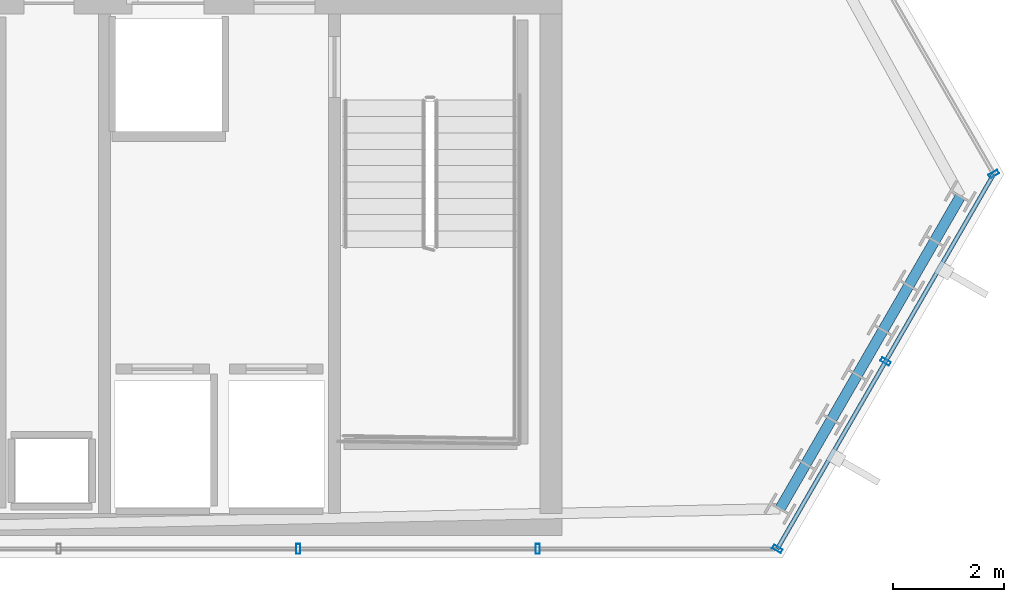
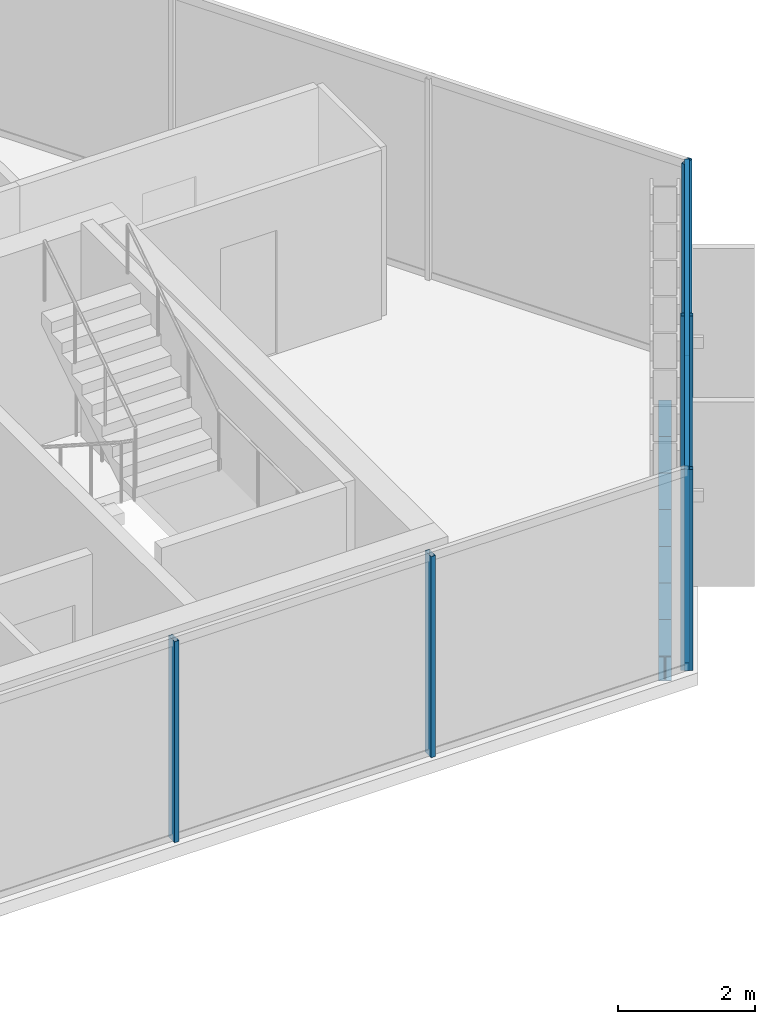
# One storey, part 14 of 30: 7 beams, 7 members, 3 elements without a shape of their own.
"""IFC4 building model written with IfcOpenShell, lengths in metres."""

from ifc_helpers import new_model, si_unit, direction, frame, origin, origin_2d, place, context, subcontext, project, spatial, hollow_rectangle, i_section, extrude, material, layer, layer_set, material_profile, profile_set, type_object, element, aggregate, save


model = new_model("IFC4")

# Units and contexts
model_context = context("Model", 3, precision=1e-05, world=origin(), true_north=direction((0.0, 1.0)))
body_context = subcontext(model_context, "Body", "Model", "MODEL_VIEW")
ifc_project = project(units=[si_unit("LENGTHUNIT", "METRE"), si_unit("AREAUNIT", "SQUARE_METRE"), si_unit("VOLUMEUNIT", "CUBIC_METRE"), si_unit("PLANEANGLEUNIT", "RADIAN"), si_unit("MASSUNIT", "GRAM", prefix="KILO")], contexts=[model_context])

# Site, building, storey
site_placement = place(None, origin())
site = spatial("IfcSite", under=ifc_project, at=site_placement, CompositionType="ELEMENT")
building_placement = place(site_placement, origin())
building = spatial("IfcBuilding", under=site, at=building_placement, Name="Ndaravel Arena Tower", CompositionType="ELEMENT")
storey_placement = place(building_placement, frame((0.0, 0.0, 221.800048828125)))
storey = spatial("IfcBuildingStorey", under=building, at=storey_placement, Name="L53", CompositionType="ELEMENT", Elevation=221.800048828125)

# Beams
ifc_material_1 = material(Name="Steel S355", Category="steel")
ifc_material_profile_1 = material_profile(ifc_material_1, i_section(OverallWidth=0.18994140625, OverallDepth=0.449951171875, WebThickness=0.009521484375, FlangeThickness=0.0146484375, FilletRadius=0.02099609375, at=origin_2d()), Name="IPE 450")
ifc_profile_set_1 = profile_set([ifc_material_profile_1], Name="Steel S355")
beam_type = type_object("IfcBeamType", Name="BM-SPAN-IPE450", PredefinedType="SPANDREL", material=ifc_profile_set_1)
beam_1_placement = place(storey_placement, frame((61.48095703125, 5.88232421875, -0.445068359375), z_axis=(0.499896791762, 0.866084982889, 0.0), x_axis=(-0.866084982889, 0.499896791762, 0.0)))
element("IfcBeam", 1, at=beam_1_placement, inside=storey, type_object=beam_type, Name="L53 Perimeter Spandrel Beam SP-02", PredefinedType="SPANDREL", context=body_context, shape_type="SweptSolid", body=[
    extrude(i_section(OverallWidth=0.18994140625, OverallDepth=0.449951171875, WebThickness=0.009521484375, FlangeThickness=0.0146484375, FilletRadius=0.02099609375, at=origin_2d()), origin(), (0.0, 0.0, 1.0), 0.929443359375),
])
for number, where, z_axis, x_axis, name in (
    (2, (61.945556640625, 6.687255859375, -0.445068359375), (0.500010545262, 0.866019315389, 0.0), (-0.866019315389, 0.500010545262, 0.0), "L53 Perimeter Spandrel Beam SP-03"),
    (3, (62.41015625, 7.491943359375, -0.445068359375), (0.500010545262, 0.866019315389, 0.0), (-0.866019315389, 0.500010545262, 0.0), "L53 Perimeter Spandrel Beam SP-04"),
):
    element("IfcBeam", number, at=place(storey_placement, frame(where, z_axis=z_axis, x_axis=x_axis)), inside=storey, type_object=beam_type, Name=name, PredefinedType="SPANDREL", context=body_context, shape_type="SweptSolid", body=[
        extrude(i_section(OverallWidth=0.18994140625, OverallDepth=0.449951171875, WebThickness=0.009521484375, FlangeThickness=0.0146484375, FilletRadius=0.02099609375, at=origin_2d()), origin(), (0.0, 0.0, 1.0), 0.92919921875),
    ])
beam_2_placement = place(storey_placement, frame((62.874755859375, 8.296630859375, -0.445068359375), z_axis=(0.499896791762, 0.866084982889, 0.0), x_axis=(-0.866084982889, 0.499896791762, 0.0)))
element("IfcBeam", 4, at=beam_2_placement, inside=storey, type_object=beam_type, Name="L53 Perimeter Spandrel Beam SP-05", PredefinedType="SPANDREL", context=body_context, shape_type="SweptSolid", body=[
    extrude(i_section(OverallWidth=0.18994140625, OverallDepth=0.449951171875, WebThickness=0.009521484375, FlangeThickness=0.0146484375, FilletRadius=0.02099609375, at=origin_2d()), origin(), (0.0, 0.0, 1.0), 0.929443359375),
])
for number, where, z_axis, x_axis, name in (
    (5, (63.33935546875, 9.1015625, -0.445068359375), (0.500010545262, 0.866019315389, 0.0), (-0.866019315389, 0.500010545262, 0.0), "L53 Perimeter Spandrel Beam SP-06"),
    (6, (63.803955078125, 9.90625, -0.445068359375), (0.500207565094, 0.865905532852, 0.0), (-0.865905532852, 0.500207565094, 0.0), "L53 Perimeter Spandrel Beam SP-07"),
):
    element("IfcBeam", number, at=place(storey_placement, frame(where, z_axis=z_axis, x_axis=x_axis)), inside=storey, type_object=beam_type, Name=name, PredefinedType="SPANDREL", context=body_context, shape_type="SweptSolid", body=[
        extrude(i_section(OverallWidth=0.18994140625, OverallDepth=0.449951171875, WebThickness=0.009521484375, FlangeThickness=0.0146484375, FilletRadius=0.02099609375, at=origin_2d()), origin(), (0.0, 0.0, 1.0), 0.92919921875),
    ])
beam_3_placement = place(storey_placement, frame((64.268798828125, 10.7109375, -0.445068359375), z_axis=(0.499896791762, 0.866084982889, 0.0), x_axis=(-0.866084982889, 0.499896791762, 0.0)))
element("IfcBeam", 7, at=beam_3_placement, inside=storey, type_object=beam_type, Name="L53 Perimeter Spandrel Beam SP-08", PredefinedType="SPANDREL", context=body_context, shape_type="SweptSolid", body=[
    extrude(i_section(OverallWidth=0.18994140625, OverallDepth=0.449951171875, WebThickness=0.009521484375, FlangeThickness=0.0146484375, FilletRadius=0.02099609375, at=origin_2d()), origin(), (0.0, 0.0, 1.0), 0.929443359375),
])

# Curtain wall, members
ifc_material_2 = material(Name="Aluminium", Category="aluminium")
ifc_layer_1 = layer(ifc_material_2, 0.179931640625)
ifc_layer_set_1 = layer_set([ifc_layer_1], Name="Aluminium")
curtain_wall_type_1 = type_object("IfcCurtainWallType", Name="CW-SYS-03", PredefinedType="NOTDEFINED", material=ifc_layer_set_1)
curtain_wall_1_placement = place(storey_placement, origin())
curtain_wall_1 = element("IfcCurtainWall", 8, at=curtain_wall_1_placement, inside=storey, type_object=curtain_wall_type_1, Name="L53 Faceted Crystal Curtain Wall CW-L53-E01", PredefinedType="NOTDEFINED")
ifc_material_3 = material(Name="Aluminium", Category="aluminium")
ifc_material_profile_2 = material_profile(ifc_material_3, hollow_rectangle(XDim=0.074951171875, YDim=0.179931640625, WallThickness=0.00390625, at=origin_2d()), Name="CW MULLION 75x180x4")
ifc_profile_set_2 = profile_set([ifc_material_profile_2], Name="Aluminium")
member_type_1 = type_object("IfcMemberType", Name="MEM-CW-MUL180", PredefinedType="MULLION", material=ifc_profile_set_2)
member_1_placement = place(storey_placement, frame((52.79638671875, 5.159912109375, 0.0), z_axis=(0.0, 0.0, 1.0), x_axis=(1.0, 0.0, 0.0)))
member_1 = element("IfcMember", 9, at=member_1_placement, type_object=member_type_1, Name="CW-L53-E01 Mullion 07", PredefinedType="MULLION", context=body_context, shape_type="SweptSolid", body=[
    extrude(hollow_rectangle(XDim=0.074951171875, YDim=0.179931640625, WallThickness=0.00390625, at=origin_2d()), origin(), (0.0, 0.0, 1.0), 3.579833984375),
])
member_2_placement = place(storey_placement, frame((57.11474609375, 5.159912109375, 0.0), z_axis=(0.0, 0.0, 1.0), x_axis=(1.0, 0.0, 0.0)))
member_2 = element("IfcMember", 10, at=member_2_placement, type_object=member_type_1, Name="CW-L53-E01 Mullion 08", PredefinedType="MULLION", context=body_context, shape_type="SweptSolid", body=[
    extrude(hollow_rectangle(XDim=0.074951171875, YDim=0.179931640625, WallThickness=0.00390625, at=origin_2d()), origin(), (0.0, 0.0, 1.0), 3.579833984375),
])
aggregate(curtain_wall_1, [member_1, member_2])

ifc_material_4 = material(Name="Aluminium", Category="aluminium")
ifc_layer_2 = layer(ifc_material_4, 0.179931640625)
ifc_layer_set_2 = layer_set([ifc_layer_2], Name="Aluminium")
curtain_wall_type_2 = type_object("IfcCurtainWallType", Name="CW-SYS-01", PredefinedType="NOTDEFINED", material=ifc_layer_set_2)
curtain_wall_2_placement = place(storey_placement, origin())
curtain_wall_2 = element("IfcCurtainWall", 11, at=curtain_wall_2_placement, inside=storey, type_object=curtain_wall_type_2, Name="L53 Faceted Crystal Curtain Wall CW-L53-E02", PredefinedType="NOTDEFINED")
member_3_placement = place(storey_placement, frame((61.433349609375, 5.159912109375, 0.0), z_axis=(0.0, 0.0, 1.0), x_axis=(0.5, 0.866025403784, 0.0)))
member_3 = element("IfcMember", 12, at=member_3_placement, type_object=member_type_1, Name="CW-L53-E02 Mullion 00", PredefinedType="MULLION", context=body_context, shape_type="SweptSolid", body=[
    extrude(hollow_rectangle(XDim=0.074951171875, YDim=0.179931640625, WallThickness=0.00390625, at=origin_2d()), origin(), (0.0, 0.0, 1.0), 3.579833984375),
])
member_4_placement = place(storey_placement, frame((63.38427734375, 8.5390625, 0.0), z_axis=(0.0, 0.0, 1.0), x_axis=(0.5, 0.866025403784, 0.0)))
member_4 = element("IfcMember", 13, at=member_4_placement, type_object=member_type_1, Name="CW-L53-E02 Mullion 01", PredefinedType="MULLION", context=body_context, shape_type="SweptSolid", body=[
    extrude(hollow_rectangle(XDim=0.074951171875, YDim=0.179931640625, WallThickness=0.00390625, at=origin_2d()), origin(), (0.0, 0.0, 1.0), 3.579833984375),
])

# Curtain wall, member
curtain_wall_3_placement = place(storey_placement, origin())
curtain_wall_3 = element("IfcCurtainWall", 14, at=curtain_wall_3_placement, inside=storey, type_object=curtain_wall_type_1, Name="L53 Faceted Crystal Curtain Wall CW-L53-E03", PredefinedType="NOTDEFINED")
member_5_placement = place(storey_placement, frame((65.335205078125, 11.918212890625, 0.0), z_axis=(0.0, 0.0, 1.0), x_axis=(-0.5, 0.866025403784, 0.0)))
member_5 = element("IfcMember", 15, at=member_5_placement, type_object=member_type_1, Name="CW-L53-E03 Mullion 00", PredefinedType="MULLION", context=body_context, shape_type="SweptSolid", body=[
    extrude(hollow_rectangle(XDim=0.074951171875, YDim=0.179931640625, WallThickness=0.00390625, at=origin_2d()), origin(), (0.0, 0.0, 1.0), 3.579833984375),
])
aggregate(curtain_wall_3, [member_5])

# Member
ifc_material_5 = material(Name="Aluminium", Category="aluminium")
ifc_material_profile_3 = material_profile(ifc_material_5, hollow_rectangle(XDim=0.074951171875, YDim=0.14990234375, WallThickness=0.00390625, at=origin_2d()), Name="CW TRANSOM 75x150x4")
ifc_profile_set_3 = profile_set([ifc_material_profile_3], Name="Aluminium")
member_type_2 = type_object("IfcMemberType", Name="MEM-CW-TRN150", PredefinedType="USERDEFINED", material=ifc_profile_set_3)
member_6_placement = place(storey_placement, frame((61.433349609375, 5.159912109375, 0.0400390625), z_axis=(0.499995069063, 0.866028250644, 0.0), x_axis=(-0.866028250644, 0.499995069063, 0.0)))
member_6 = element("IfcMember", 16, at=member_6_placement, type_object=member_type_2, Name="CW-L53-E02 Transom 01", ObjectType="TRANSOM", PredefinedType="USERDEFINED", context=body_context, shape_type="SweptSolid", body=[
    extrude(hollow_rectangle(XDim=0.074951171875, YDim=0.14990234375, WallThickness=0.00390625, at=origin_2d()), origin(), (0.0, 0.0, 1.0), 7.8037109375),
])

member_7_placement = place(storey_placement, frame((61.433349609375, 5.159912109375, 3.5400390625), z_axis=(0.499995069063, 0.866028250644, 0.0), x_axis=(-0.866028250644, 0.499995069063, 0.0)))
member_7 = element("IfcMember", 17, at=member_7_placement, type_object=member_type_2, Name="CW-L53-E02 Transom 02", ObjectType="TRANSOM", PredefinedType="USERDEFINED", context=body_context, shape_type="SweptSolid", body=[
    extrude(hollow_rectangle(XDim=0.074951171875, YDim=0.14990234375, WallThickness=0.00390625, at=origin_2d()), origin(), (0.0, 0.0, 1.0), 7.8037109375),
])

aggregate(curtain_wall_2, [member_3, member_4, member_6, member_7])

save(model, "model.ifc")
